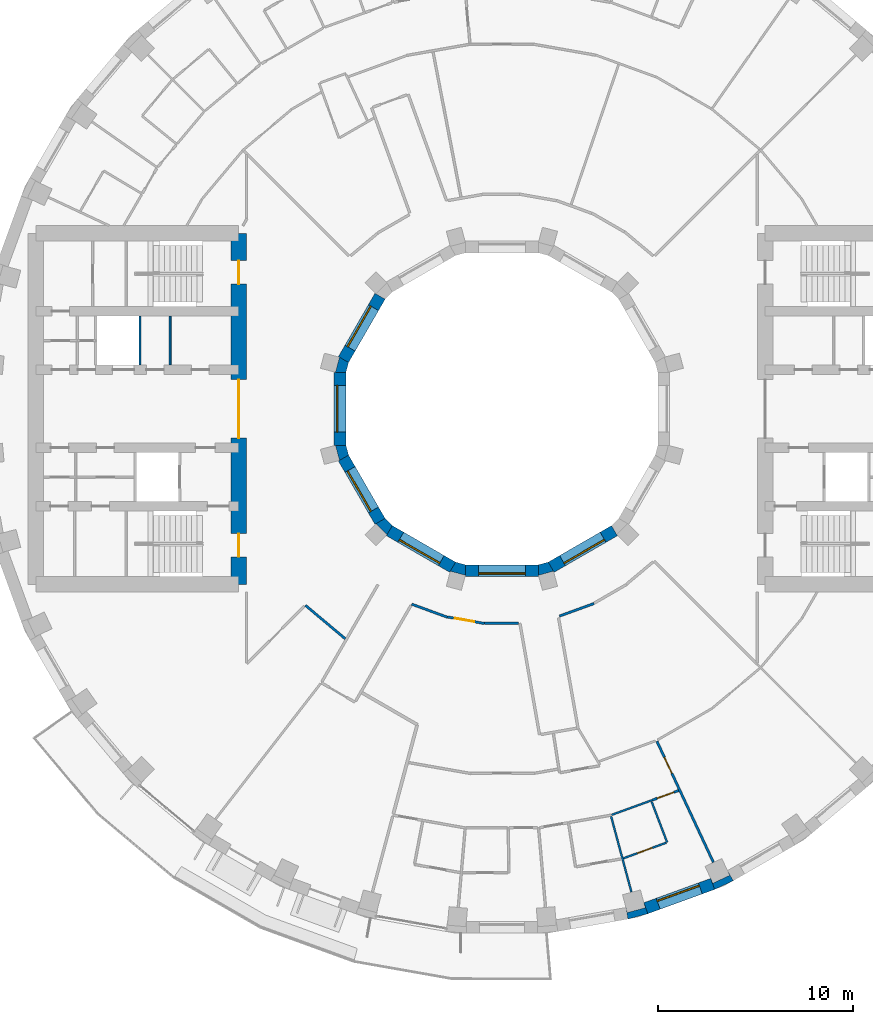
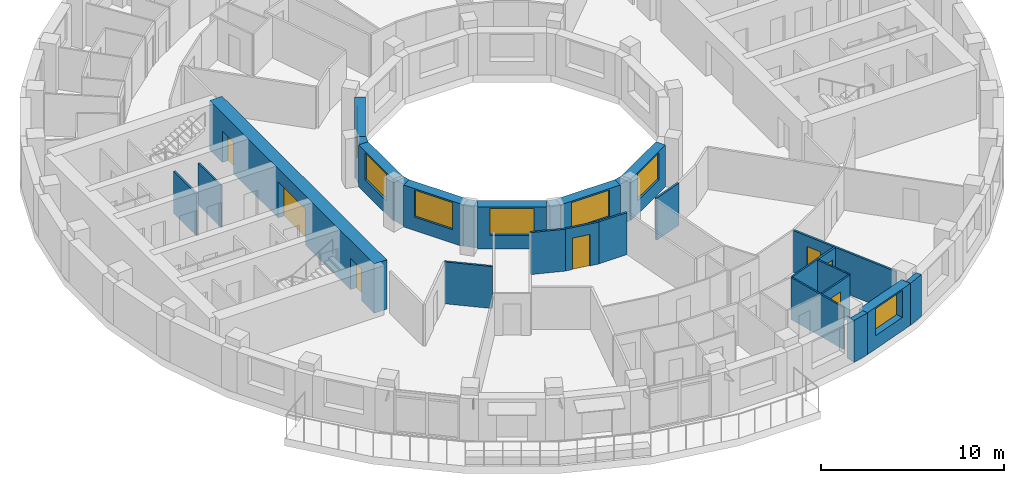
# One storey, part 6 of 14: 28 walls, 7 doors, 7 windows, 14 openings.
"""IFC4 building model written with IfcOpenShell, lengths in metres."""

from ifc_helpers import new_model, si_unit, direction, frame, frame_2d, origin, place, context, subcontext, project, spatial, polyline, rectangle, outline, extrude, material, layer, layer_set, type_object, element, fill, save


model = new_model("IFC4")

# Units and contexts
model_context = context("Model", 3, precision=1e-05, world=origin(), true_north=direction((0.0, 1.0)))
body_context = subcontext(model_context, "Body", "Model", "MODEL_VIEW")
ifc_project = project(units=[si_unit("LENGTHUNIT", "METRE"), si_unit("AREAUNIT", "SQUARE_METRE"), si_unit("VOLUMEUNIT", "CUBIC_METRE"), si_unit("PLANEANGLEUNIT", "RADIAN"), si_unit("MASSUNIT", "GRAM", prefix="KILO")], contexts=[model_context])

# Site, building, storey
site_placement = place(None, origin())
site = spatial("IfcSite", under=ifc_project, at=site_placement, CompositionType="ELEMENT")
building_placement = place(site_placement, origin())
building = spatial("IfcBuilding", under=site, at=building_placement, Name="Saqina Gate Tower", CompositionType="ELEMENT")
storey_placement = place(building_placement, frame((0.0, 0.0, 134.800048828125)))
storey = spatial("IfcBuildingStorey", under=building, at=storey_placement, Name="L38", CompositionType="ELEMENT", Elevation=134.800048828125)

# Walls
ifc_material_1 = material(Name="Brick masonry (buff)", Category="masonry")
wall_type_1 = type_object("IfcWallType", Name="BRICK PIER COPING BUFF", PredefinedType="SOLIDWALL", material=ifc_material_1)
wall_1_placement = place(storey_placement, origin())
element("IfcWall", 1, at=wall_1_placement, inside=storey, type_object=wall_type_1, Name="Pier cap L38 column 29", PredefinedType="SOLIDWALL", context=body_context, shape_type="SweptSolid", body=[
    extrude(outline(polyline([(6.466796875, -26.171875), (7.485595703125, -25.89892578125), (7.2802734375, -25.335205078125), (7.349853515625, -25.5947265625), (6.43212890625, -25.8408203125), (6.36279296875, -25.5810546875), (6.466796875, -26.171875)])), origin(), (0.0, 0.0, 1.0), 2.800048828125),
])
wall_2_placement = place(storey_placement, origin())
element("IfcWall", 2, at=wall_2_placement, inside=storey, type_object=wall_type_1, Name="Pier cap L38 column 30", PredefinedType="SOLIDWALL", context=body_context, shape_type="SweptSolid", body=[
    extrude(outline(polyline([(10.913330078125, -24.6513671875), (11.869140625, -24.205810546875), (11.569091796875, -23.68603515625), (11.6826171875, -23.9296875), (10.82177734375, -24.331298828125), (10.7080078125, -24.08740234375), (10.913330078125, -24.6513671875)])), origin(), (0.0, 0.0, 1.0), 2.800048828125),
])
ifc_material_2 = material(Name="Gypsum board on steel studs", Category="steel")
ifc_layer_1 = layer(ifc_material_2, 0.10009765625)
ifc_layer_set_1 = layer_set([ifc_layer_1], Name="CORE PARTITION")
wall_type_2 = type_object("IfcWallType", Name="CORE PARTITION", PredefinedType="PARTITIONING", material=ifc_layer_set_1)
wall_3_placement = place(storey_placement, frame((-17.022216796875, 2.25, 0.0), z_axis=(0.0, 0.0, 1.0), x_axis=(0.0, 1.0, 0.0)))
element("IfcWall", 3, at=wall_3_placement, inside=storey, type_object=wall_type_2, Name="L38-CP-W01", PredefinedType="PARTITIONING", context=body_context, shape_type="SweptSolid", body=[
    extrude(rectangle(XDim=2.5, YDim=0.10009765625, at=frame_2d((1.25, 0.0))), origin(), (0.0, 0.0, 1.0), 2.800048828125),
])

# Wall, opening, window
ifc_material_3 = material(Name="Brick masonry (buff)", Category="masonry")
ifc_layer_2 = layer(ifc_material_3, 0.60009765625)
ifc_layer_set_2 = layer_set([ifc_layer_2], Name="FW-BRICK-BUFF")
wall_type_3 = type_object("IfcWallType", Name="FW-BRICK-BUFF", PredefinedType="SOLIDWALL", material=ifc_layer_set_2)
wall_4_placement = place(storey_placement, frame((7.3828125, -25.616943359375, 0.0), z_axis=(0.0, 0.0, 1.0), x_axis=(0.939703505393, 0.341990236633, 0.0)))
wall_4 = element("IfcWall", 4, at=wall_4_placement, inside=storey, type_object=wall_type_3, Name="Facade wall L38 facet 29", PredefinedType="SOLIDWALL", context=body_context, shape_type="SweptSolid", body=[
    extrude(rectangle(XDim=3.64794921875, YDim=0.60009765625, at=frame_2d((1.823974609375, 0.0))), origin(), (0.0, 0.0, 1.0), 2.800048828125),
])
opening_1_placement = place(wall_4_placement, frame((0.673828125, 0.0, 0.89990234375)))
opening_1 = element("IfcOpeningElement", 5, at=opening_1_placement, cuts=wall_4, Name="Opening G11-W18", PredefinedType="OPENING", context=body_context, shape_type="SweptSolid", body=[
    extrude(rectangle(XDim=2.300048828125, YDim=1.800048828125, at=frame_2d((1.14990234375, 0.89990234375))), frame((0.0, 0.31201171875, 0.0), z_axis=(0.0, -1.0, 0.0), x_axis=(1.0, 0.0, 0.0)), (0.0, 0.0, 1.0), 0.6240234375),
])
ifc_material_4 = material(Name="Aluminium glazing", Category="aluminium")
window_type_1 = type_object("IfcWindowType", Name="WN-B", PartitioningType="SINGLE_PANEL", PredefinedType="WINDOW", material=ifc_material_4)
window_1_placement = place(opening_1_placement, origin())
window_1 = element("IfcWindow", 6, at=window_1_placement, inside=storey, type_object=window_type_1, Name="Window L38 facet 29", OverallHeight=1.800048828125, OverallWidth=2.300048828125, PartitioningType="SINGLE_PANEL", PredefinedType="WINDOW", context=body_context, shape_type="SweptSolid", body=[
    extrude(rectangle(XDim=2.300048828125, YDim=1.800048828125, at=frame_2d((1.14990234375, 0.89990234375))), frame((0.0, 0.179931640625, 0.0), z_axis=(0.0, -1.0, 0.0), x_axis=(1.0, 0.0, 0.0)), (0.0, 0.0, 1.0), 0.06005859375),
])
fill(opening_1, window_1)

ifc_material_5 = material(Name="Glazed ceramic tile", Category="ceramic")
ifc_layer_3 = layer(ifc_material_5, 0.60009765625)
ifc_layer_set_3 = layer_set([ifc_layer_3], Name="IW-TILE")
wall_type_4 = type_object("IfcWallType", Name="IW-TILE", PredefinedType="SOLIDWALL", material=ifc_layer_set_3)
wall_5_placement = place(storey_placement, frame((-6.251220703125, 5.772705078125, 0.0), z_axis=(0.0, 0.0, 1.0), x_axis=(-0.499964958637, -0.86604563398, 0.0)))
wall_5 = element("IfcWall", 7, at=wall_5_placement, inside=storey, type_object=wall_type_4, Name="Well wall L38 facet 5", PredefinedType="SOLIDWALL", context=body_context, shape_type="SweptSolid", body=[
    extrude(rectangle(XDim=3.747314453125, YDim=0.60009765625, at=frame_2d((1.87353515625, 0.0))), origin(), (0.0, 0.0, 1.0), 2.800048828125),
])
opening_2_placement = place(wall_5_placement, frame((0.673583984375, 0.0, 0.89990234375)))
opening_2 = element("IfcOpeningElement", 8, at=opening_2_placement, cuts=wall_5, Name="Opening G11-W27", PredefinedType="OPENING", context=body_context, shape_type="SweptSolid", body=[
    extrude(rectangle(XDim=2.39990234375, YDim=1.800048828125, at=frame_2d((1.199951171875, 0.89990234375))), frame((0.0, 0.31201171875, 0.0), z_axis=(0.0, -1.0, 0.0), x_axis=(1.0, 0.0, 0.0)), (0.0, 0.0, 1.0), 0.6240234375),
])
ifc_material_6 = material(Name="Aluminium glazing", Category="aluminium")
window_type_2 = type_object("IfcWindowType", Name="WN-W", PartitioningType="SINGLE_PANEL", PredefinedType="WINDOW", material=ifc_material_6)
window_2_placement = place(opening_2_placement, origin())
window_2 = element("IfcWindow", 9, at=window_2_placement, inside=storey, type_object=window_type_2, Name="Well window L38 facet 5", OverallHeight=1.800048828125, OverallWidth=2.39990234375, PartitioningType="SINGLE_PANEL", PredefinedType="WINDOW", context=body_context, shape_type="SweptSolid", body=[
    extrude(rectangle(XDim=2.39990234375, YDim=1.800048828125, at=frame_2d((1.199951171875, 0.89990234375))), frame((0.0, -0.119873046875, 0.0), z_axis=(0.0, -1.0, 0.0), x_axis=(1.0, 0.0, 0.0)), (0.0, 0.0, 1.0), 0.06005859375),
])
fill(opening_2, window_2)

wall_6_placement = place(storey_placement, frame((-8.300048828125, 1.873779296875, 0.0), z_axis=(0.0, 0.0, 1.0), x_axis=(0.0, -1.0, 0.0)))
wall_6 = element("IfcWall", 10, at=wall_6_placement, inside=storey, type_object=wall_type_4, Name="Well wall L38 facet 6", PredefinedType="SOLIDWALL", context=body_context, shape_type="SweptSolid", body=[
    extrude(rectangle(XDim=3.74755859375, YDim=0.60009765625, at=frame_2d((1.873779296875, 0.0))), origin(), (0.0, 0.0, 1.0), 2.800048828125),
])
opening_3_placement = place(wall_6_placement, frame((0.673583984375, 0.0, 0.89990234375)))
opening_3 = element("IfcOpeningElement", 11, at=opening_3_placement, cuts=wall_6, Name="Opening G11-W28", PredefinedType="OPENING", context=body_context, shape_type="SweptSolid", body=[
    extrude(rectangle(XDim=2.39990234375, YDim=1.800048828125, at=frame_2d((1.199951171875, 0.89990234375))), frame((0.0, 0.31201171875, 0.0), z_axis=(0.0, -1.0, 0.0), x_axis=(1.0, 0.0, 0.0)), (0.0, 0.0, 1.0), 0.6240234375),
])
window_3_placement = place(opening_3_placement, origin())
window_3 = element("IfcWindow", 12, at=window_3_placement, inside=storey, type_object=window_type_2, Name="Well window L38 facet 6", OverallHeight=1.800048828125, OverallWidth=2.39990234375, PartitioningType="SINGLE_PANEL", PredefinedType="WINDOW", context=body_context, shape_type="SweptSolid", body=[
    extrude(rectangle(XDim=2.39990234375, YDim=1.800048828125, at=frame_2d((1.199951171875, 0.89990234375))), frame((0.0, -0.119873046875, 0.0), z_axis=(0.0, -1.0, 0.0), x_axis=(1.0, 0.0, 0.0)), (0.0, 0.0, 1.0), 0.06005859375),
])
fill(opening_3, window_3)

wall_7_placement = place(storey_placement, frame((-8.124755859375, -2.52734375, 0.0), z_axis=(0.0, 0.0, 1.0), x_axis=(0.499964958637, -0.86604563398, 0.0)))
wall_7 = element("IfcWall", 13, at=wall_7_placement, inside=storey, type_object=wall_type_4, Name="Well wall L38 facet 7", PredefinedType="SOLIDWALL", context=body_context, shape_type="SweptSolid", body=[
    extrude(rectangle(XDim=3.747314453125, YDim=0.60009765625, at=frame_2d((1.87353515625, 0.0))), origin(), (0.0, 0.0, 1.0), 2.800048828125),
])
opening_4_placement = place(wall_7_placement, frame((0.673583984375, 0.0, 0.89990234375)))
opening_4 = element("IfcOpeningElement", 14, at=opening_4_placement, cuts=wall_7, Name="Opening G11-W29", PredefinedType="OPENING", context=body_context, shape_type="SweptSolid", body=[
    extrude(rectangle(XDim=2.39990234375, YDim=1.800048828125, at=frame_2d((1.199951171875, 0.89990234375))), frame((0.0, 0.31201171875, 0.0), z_axis=(0.0, -1.0, 0.0), x_axis=(1.0, 0.0, 0.0)), (0.0, 0.0, 1.0), 0.6240234375),
])
window_4_placement = place(opening_4_placement, origin())
window_4 = element("IfcWindow", 15, at=window_4_placement, inside=storey, type_object=window_type_2, Name="Well window L38 facet 7", OverallHeight=1.800048828125, OverallWidth=2.39990234375, PartitioningType="SINGLE_PANEL", PredefinedType="WINDOW", context=body_context, shape_type="SweptSolid", body=[
    extrude(rectangle(XDim=2.39990234375, YDim=1.800048828125, at=frame_2d((1.199951171875, 0.89990234375))), frame((0.0, -0.119873046875, 0.0), z_axis=(0.0, -1.0, 0.0), x_axis=(1.0, 0.0, 0.0)), (0.0, 0.0, 1.0), 0.06005859375),
])
fill(opening_4, window_4)

wall_8_placement = place(storey_placement, frame((-5.772705078125, -6.251220703125, 0.0), z_axis=(0.0, 0.0, 1.0), x_axis=(0.86604563398, -0.499964958637, 0.0)))
wall_8 = element("IfcWall", 16, at=wall_8_placement, inside=storey, type_object=wall_type_4, Name="Well wall L38 facet 8", PredefinedType="SOLIDWALL", context=body_context, shape_type="SweptSolid", body=[
    extrude(rectangle(XDim=3.747314453125, YDim=0.60009765625, at=frame_2d((1.87353515625, 0.0))), origin(), (0.0, 0.0, 1.0), 2.800048828125),
])
opening_5_placement = place(wall_8_placement, frame((0.673583984375, 0.0, 0.89990234375)))
opening_5 = element("IfcOpeningElement", 17, at=opening_5_placement, cuts=wall_8, Name="Opening G11-W30", PredefinedType="OPENING", context=body_context, shape_type="SweptSolid", body=[
    extrude(rectangle(XDim=2.39990234375, YDim=1.800048828125, at=frame_2d((1.199951171875, 0.89990234375))), frame((0.0, 0.31201171875, 0.0), z_axis=(0.0, -1.0, 0.0), x_axis=(1.0, 0.0, 0.0)), (0.0, 0.0, 1.0), 0.6240234375),
])
window_5_placement = place(opening_5_placement, origin())
window_5 = element("IfcWindow", 18, at=window_5_placement, inside=storey, type_object=window_type_2, Name="Well window L38 facet 8", OverallHeight=1.800048828125, OverallWidth=2.39990234375, PartitioningType="SINGLE_PANEL", PredefinedType="WINDOW", context=body_context, shape_type="SweptSolid", body=[
    extrude(rectangle(XDim=2.39990234375, YDim=1.800048828125, at=frame_2d((1.199951171875, 0.89990234375))), frame((0.0, -0.119873046875, 0.0), z_axis=(0.0, -1.0, 0.0), x_axis=(1.0, 0.0, 0.0)), (0.0, 0.0, 1.0), 0.06005859375),
])
fill(opening_5, window_5)

wall_9_placement = place(storey_placement, frame((-1.873779296875, -8.300048828125, 0.0), z_axis=(0.0, 0.0, 1.0), x_axis=(1.0, 0.0, 0.0)))
wall_9 = element("IfcWall", 19, at=wall_9_placement, inside=storey, type_object=wall_type_4, Name="Well wall L38 facet 9", PredefinedType="SOLIDWALL", context=body_context, shape_type="SweptSolid", body=[
    extrude(rectangle(XDim=3.74755859375, YDim=0.60009765625, at=frame_2d((1.873779296875, 0.0))), origin(), (0.0, 0.0, 1.0), 2.800048828125),
])
opening_6_placement = place(wall_9_placement, frame((0.673583984375, 0.0, 0.89990234375)))
opening_6 = element("IfcOpeningElement", 20, at=opening_6_placement, cuts=wall_9, Name="Opening G11-W31", PredefinedType="OPENING", context=body_context, shape_type="SweptSolid", body=[
    extrude(rectangle(XDim=2.39990234375, YDim=1.800048828125, at=frame_2d((1.199951171875, 0.89990234375))), frame((0.0, 0.31201171875, 0.0), z_axis=(0.0, -1.0, 0.0), x_axis=(1.0, 0.0, 0.0)), (0.0, 0.0, 1.0), 0.6240234375),
])
window_6_placement = place(opening_6_placement, origin())
window_6 = element("IfcWindow", 21, at=window_6_placement, inside=storey, type_object=window_type_2, Name="Well window L38 facet 9", OverallHeight=1.800048828125, OverallWidth=2.39990234375, PartitioningType="SINGLE_PANEL", PredefinedType="WINDOW", context=body_context, shape_type="SweptSolid", body=[
    extrude(rectangle(XDim=2.39990234375, YDim=1.800048828125, at=frame_2d((1.199951171875, 0.89990234375))), frame((0.0, -0.119873046875, 0.0), z_axis=(0.0, -1.0, 0.0), x_axis=(1.0, 0.0, 0.0)), (0.0, 0.0, 1.0), 0.06005859375),
])
fill(opening_6, window_6)

wall_10_placement = place(storey_placement, frame((2.52734375, -8.124755859375, 0.0), z_axis=(0.0, 0.0, 1.0), x_axis=(0.86604563398, 0.499964958637, 0.0)))
wall_10 = element("IfcWall", 22, at=wall_10_placement, inside=storey, type_object=wall_type_4, Name="Well wall L38 facet 10", PredefinedType="SOLIDWALL", context=body_context, shape_type="SweptSolid", body=[
    extrude(rectangle(XDim=3.747314453125, YDim=0.60009765625, at=frame_2d((1.87353515625, 0.0))), origin(), (0.0, 0.0, 1.0), 2.800048828125),
])
opening_7_placement = place(wall_10_placement, frame((0.673583984375, 0.0, 0.89990234375)))
opening_7 = element("IfcOpeningElement", 23, at=opening_7_placement, cuts=wall_10, Name="Opening G11-W32", PredefinedType="OPENING", context=body_context, shape_type="SweptSolid", body=[
    extrude(rectangle(XDim=2.39990234375, YDim=1.800048828125, at=frame_2d((1.199951171875, 0.89990234375))), frame((0.0, 0.31201171875, 0.0), z_axis=(0.0, -1.0, 0.0), x_axis=(1.0, 0.0, 0.0)), (0.0, 0.0, 1.0), 0.6240234375),
])
window_7_placement = place(opening_7_placement, origin())
window_7 = element("IfcWindow", 24, at=window_7_placement, inside=storey, type_object=window_type_2, Name="Well window L38 facet 10", OverallHeight=1.800048828125, OverallWidth=2.39990234375, PartitioningType="SINGLE_PANEL", PredefinedType="WINDOW", context=body_context, shape_type="SweptSolid", body=[
    extrude(rectangle(XDim=2.39990234375, YDim=1.800048828125, at=frame_2d((1.199951171875, 0.89990234375))), frame((0.0, -0.119873046875, 0.0), z_axis=(0.0, -1.0, 0.0), x_axis=(1.0, 0.0, 0.0)), (0.0, 0.0, 1.0), 0.06005859375),
])
fill(opening_7, window_7)

# Walls
ifc_material_7 = material(Name="Gypsum board on steel studs, 100 mm", Category="steel")
ifc_layer_4 = layer(ifc_material_7, 0.10009765625)
ifc_layer_set_4 = layer_set([ifc_layer_4], Name="PARTITION 100")
wall_type_5 = type_object("IfcWallType", Name="PARTITION 100", PredefinedType="PARTITIONING", material=ifc_layer_set_4)
wall_11_placement = place(storey_placement, frame((5.597900390625, -20.892333984375, 0.0), z_axis=(0.0, 0.0, 1.0), x_axis=(0.259224915088, -0.965816982351, 0.0)))
element("IfcWall", 25, at=wall_11_placement, inside=storey, type_object=wall_type_5, Name="PARTITION PW3-08", PredefinedType="PARTITIONING", context=body_context, shape_type="SweptSolid", body=[
    extrude(rectangle(XDim=4.03564453125, YDim=0.10009765625, at=frame_2d((2.017822265625, 0.0))), origin(), (0.0, 0.0, 1.0), 2.800048828125),
])
wall_12_placement = place(storey_placement, frame((7.679443359375, -20.14892578125, 0.0), z_axis=(0.0, 0.0, 1.0), x_axis=(0.356154183318, -0.934427202999, 0.0)))
element("IfcWall", 26, at=wall_12_placement, inside=storey, type_object=wall_type_5, Name="PARTITION PW3-12", PredefinedType="PARTITIONING", context=body_context, shape_type="SweptSolid", body=[
    extrude(rectangle(XDim=2.23681640625, YDim=0.10009765625, at=frame_2d((1.118408203125, 0.0))), origin(), (0.0, 0.0, 1.0), 2.800048828125),
])

# Wall, opening, door
wall_13_placement = place(storey_placement, frame((6.22998046875, -23.056884765625, 0.0), z_axis=(0.0, 0.0, 1.0), x_axis=(0.93963493474, 0.342178592866, 0.0)))
wall_13 = element("IfcWall", 27, at=wall_13_placement, inside=storey, type_object=wall_type_5, Name="PARTITION PW3-51", PredefinedType="PARTITIONING", context=body_context, shape_type="SweptSolid", body=[
    extrude(rectangle(XDim=2.34033203125, YDim=0.10009765625, at=frame_2d((1.170166015625, 0.0))), origin(), (0.0, 0.0, 1.0), 2.800048828125),
])
opening_8_placement = place(wall_13_placement, frame((0.770263671875, 0.0, 0.0)))
opening_8 = element("IfcOpeningElement", 28, at=opening_8_placement, cuts=wall_13, Name="Opening G11-D38", PredefinedType="OPENING", context=body_context, shape_type="SweptSolid", body=[
    extrude(rectangle(XDim=0.800048828125, YDim=2.10009765625, at=frame_2d((0.39990234375, 1.050048828125))), frame((0.0, 0.06201171875, 0.0), z_axis=(0.0, -1.0, 0.0), x_axis=(1.0, 0.0, 0.0)), (0.0, 0.0, 1.0), 0.1240234375),
])
ifc_material_8 = material(Name="Timber door leaf, 800 mm", Category="wood")
door_type_1 = type_object("IfcDoorType", Name="DOOR 800 TIMBER", OperationType="SINGLE_SWING_LEFT", PredefinedType="DOOR", material=ifc_material_8)
door_1_placement = place(opening_8_placement, frame((0.800048828125, 0.0, 0.0), z_axis=(0.0, 0.0, 1.0), x_axis=(-1.0, 0.0, 0.0)))
door_1 = element("IfcDoor", 29, at=door_1_placement, inside=storey, type_object=door_type_1, Name="DOOR G11-D38", OperationType="SINGLE_SWING_LEFT", OverallHeight=2.10009765625, OverallWidth=0.800048828125, PredefinedType="DOOR", context=body_context, shape_type="SweptSolid", body=[
    extrude(rectangle(XDim=0.800048828125, YDim=2.10009765625, at=frame_2d((0.39990234375, 1.050048828125))), frame((0.0, 0.02490234375, 0.0), z_axis=(0.0, -1.0, 0.0), x_axis=(1.0, 0.0, 0.0)), (0.0, 0.0, 1.0), 0.050048828125),
])
fill(opening_8, door_1)

# Wall
wall_14_placement = place(storey_placement, frame((5.633544921875, -20.826416015625, 0.0), z_axis=(0.0, 0.0, 1.0), x_axis=(0.939722230227, 0.341938781097, 0.0)))
element("IfcWall", 30, at=wall_14_placement, inside=storey, type_object=wall_type_5, Name="PARTITION PW3-52", PredefinedType="PARTITIONING", context=body_context, shape_type="SweptSolid", body=[
    extrude(rectangle(XDim=2.203369140625, YDim=0.10009765625, at=frame_2d((1.1015625, 0.0))), origin(), (0.0, 0.0, 1.0), 2.800048828125),
])

# Wall, opening, door
ifc_material_9 = material(Name="Gypsum board on steel studs, 125 mm, fire rated", Category="steel")
ifc_layer_5 = layer(ifc_material_9, 0.125)
ifc_layer_set_5 = layer_set([ifc_layer_5], Name="PARTITION EI 30 125")
wall_type_6 = type_object("IfcWallType", Name="PARTITION EI 30 125", PredefinedType="PARTITIONING", material=ifc_layer_set_5)
wall_15_placement = place(storey_placement, frame((7.953857421875, -17.057373046875, 0.0), z_axis=(0.0, 0.0, 1.0), x_axis=(0.422662835783, -0.906287000485, 0.0)))
wall_15 = element("IfcWall", 31, at=wall_15_placement, inside=storey, type_object=wall_type_6, Name="PARTITION PW1-05", PredefinedType="PARTITIONING", context=body_context, shape_type="SweptSolid", body=[
    extrude(rectangle(XDim=6.84423828125, YDim=0.125, at=frame_2d((3.422119140625, 0.0))), origin(), (0.0, 0.0, 1.0), 2.800048828125),
])
opening_9_placement = place(wall_15_placement, frame((0.905029296875, 0.0, 0.0)))
opening_9 = element("IfcOpeningElement", 32, at=opening_9_placement, cuts=wall_15, Name="Opening G11-D40", PredefinedType="OPENING", context=body_context, shape_type="SweptSolid", body=[
    extrude(rectangle(XDim=0.89990234375, YDim=2.10009765625, at=frame_2d((0.449951171875, 1.050048828125))), frame((0.0, 0.074462890625, 0.0), z_axis=(0.0, -1.0, 0.0), x_axis=(1.0, 0.0, 0.0)), (0.0, 0.0, 1.0), 0.14892578125),
])
ifc_material_10 = material(Name="Fire door leaf EI 30, 900 mm")
door_type_2 = type_object("IfcDoorType", Name="DOOR 900 EI 30", OperationType="SINGLE_SWING_LEFT", PredefinedType="DOOR", material=ifc_material_10)
door_2_placement = place(opening_9_placement, origin())
door_2 = element("IfcDoor", 33, at=door_2_placement, inside=storey, type_object=door_type_2, Name="DOOR G11-D40", OperationType="SINGLE_SWING_LEFT", OverallHeight=2.10009765625, OverallWidth=0.89990234375, PredefinedType="DOOR", context=body_context, shape_type="SweptSolid", body=[
    extrude(rectangle(XDim=0.89990234375, YDim=2.10009765625, at=frame_2d((0.449951171875, 1.050048828125))), frame((0.0, 0.02490234375, 0.0), z_axis=(0.0, -1.0, 0.0), x_axis=(1.0, 0.0, 0.0)), (0.0, 0.0, 1.0), 0.050048828125),
])
fill(opening_9, door_2)

# Walls
wall_16_placement = place(storey_placement, frame((-10.0791015625, -10.0791015625, 0.0), z_axis=(0.0, 0.0, 1.0), x_axis=(0.766028909875, -0.642806121031, 0.0)))
element("IfcWall", 34, at=wall_16_placement, inside=storey, type_object=wall_type_6, Name="PARTITION PW1-08", PredefinedType="PARTITIONING", context=body_context, shape_type="SweptSolid", body=[
    extrude(rectangle(XDim=2.6708984375, YDim=0.125, at=frame_2d((1.33544921875, 0.0))), origin(), (0.0, 0.0, 1.0), 2.800048828125),
])
wall_17_placement = place(storey_placement, frame((-4.631103515625, -10.02001953125, 0.0), z_axis=(0.0, 0.0, 1.0), x_axis=(0.939584951486, -0.342315817545, 0.0)))
element("IfcWall", 35, at=wall_17_placement, inside=storey, type_object=wall_type_6, Name="PARTITION PW1-13", PredefinedType="PARTITIONING", context=body_context, shape_type="SweptSolid", body=[
    extrude(rectangle(XDim=1.95068359375, YDim=0.125, at=frame_2d((0.975341796875, 0.0))), origin(), (0.0, 0.0, 1.0), 2.800048828125),
])

# Wall, opening, door
wall_18_placement = place(storey_placement, frame((-2.79638671875, -10.6767578125, 0.0), z_axis=(0.0, 0.0, 1.0), x_axis=(0.984830733923, -0.173517795977, 0.0)))
wall_18 = element("IfcWall", 36, at=wall_18_placement, inside=storey, type_object=wall_type_6, Name="PARTITION PW1-16", PredefinedType="PARTITIONING", context=body_context, shape_type="SweptSolid", body=[
    extrude(rectangle(XDim=1.92626953125, YDim=0.125, at=frame_2d((0.963134765625, 0.0))), origin(), (0.0, 0.0, 1.0), 2.800048828125),
])
opening_10_placement = place(wall_18_placement, frame((0.400146484375, 0.0, 0.0)))
opening_10 = element("IfcOpeningElement", 37, at=opening_10_placement, cuts=wall_18, Name="Opening G11-D30", PredefinedType="OPENING", context=body_context, shape_type="SweptSolid", body=[
    extrude(rectangle(XDim=1.0, YDim=2.10009765625, at=frame_2d((0.5, 1.050048828125))), frame((0.0, 0.074462890625, 0.0), z_axis=(0.0, -1.0, 0.0), x_axis=(1.0, 0.0, 0.0)), (0.0, 0.0, 1.0), 0.14892578125),
])
ifc_material_11 = material(Name="Fire door leaf EI 30, 1000 mm")
door_type_3 = type_object("IfcDoorType", Name="DOOR 1000 EI 30", OperationType="SINGLE_SWING_LEFT", PredefinedType="DOOR", material=ifc_material_11)
door_3_placement = place(opening_10_placement, frame((1.0, 0.0, 0.0), z_axis=(0.0, 0.0, 1.0), x_axis=(-1.0, 0.0, 0.0)))
door_3 = element("IfcDoor", 38, at=door_3_placement, inside=storey, type_object=door_type_3, Name="DOOR G11-D30", OperationType="SINGLE_SWING_RIGHT", OverallHeight=2.10009765625, OverallWidth=1.0, PredefinedType="DOOR", context=body_context, shape_type="SweptSolid", body=[
    extrude(rectangle(XDim=1.0, YDim=2.10009765625, at=frame_2d((0.5, 1.050048828125))), frame((0.0, 0.02490234375, 0.0), z_axis=(0.0, -1.0, 0.0), x_axis=(1.0, 0.0, 0.0)), (0.0, 0.0, 1.0), 0.050048828125),
])
fill(opening_10, door_3)

# Wall
wall_19_placement = place(storey_placement, frame((-0.8994140625, -11.0, 0.0), z_axis=(0.0, 0.0, 1.0), x_axis=(1.0, 0.0, 0.0)))
element("IfcWall", 39, at=wall_19_placement, inside=storey, type_object=wall_type_6, Name="PARTITION PW1-20", PredefinedType="PARTITIONING", context=body_context, shape_type="SweptSolid", body=[
    extrude(rectangle(XDim=1.760986328125, YDim=0.125, at=frame_2d((0.88037109375, 0.0))), origin(), (0.0, 0.0, 1.0), 2.800048828125),
])

# Wall, opening, door
wall_20_placement = place(storey_placement, frame((7.7041015625, -20.072998046875, 0.0), z_axis=(0.0, 0.0, 1.0), x_axis=(0.939798360304, 0.341729486537, 0.0)))
wall_20 = element("IfcWall", 40, at=wall_20_placement, inside=storey, type_object=wall_type_6, Name="PARTITION PW1-27", PredefinedType="PARTITIONING", context=body_context, shape_type="SweptSolid", body=[
    extrude(rectangle(XDim=1.44384765625, YDim=0.125, at=frame_2d((0.721923828125, 0.0))), origin(), (0.0, 0.0, 1.0), 2.800048828125),
])
opening_11_placement = place(wall_20_placement, frame((0.2783203125, 0.0, 0.0)))
opening_11 = element("IfcOpeningElement", 41, at=opening_11_placement, cuts=wall_20, Name="Opening G11-D39", PredefinedType="OPENING", context=body_context, shape_type="SweptSolid", body=[
    extrude(rectangle(XDim=0.89990234375, YDim=2.10009765625, at=frame_2d((0.449951171875, 1.050048828125))), frame((0.0, 0.074462890625, 0.0), z_axis=(0.0, -1.0, 0.0), x_axis=(1.0, 0.0, 0.0)), (0.0, 0.0, 1.0), 0.14892578125),
])
door_4_placement = place(opening_11_placement, origin())
door_4 = element("IfcDoor", 42, at=door_4_placement, inside=storey, type_object=door_type_2, Name="DOOR G11-D39", OperationType="SINGLE_SWING_RIGHT", OverallHeight=2.10009765625, OverallWidth=0.89990234375, PredefinedType="DOOR", context=body_context, shape_type="SweptSolid", body=[
    extrude(rectangle(XDim=0.89990234375, YDim=2.10009765625, at=frame_2d((0.449951171875, 1.050048828125))), frame((0.0, 0.02490234375, 0.0), z_axis=(0.0, -1.0, 0.0), x_axis=(1.0, 0.0, 0.0)), (0.0, 0.0, 1.0), 0.050048828125),
])
fill(opening_11, door_4)

# Walls
wall_21_placement = place(storey_placement, frame((2.950927734375, -10.632080078125, 0.0), z_axis=(0.0, 0.0, 1.0), x_axis=(0.939616011167, 0.342230553222, 0.0)))
element("IfcWall", 43, at=wall_21_placement, inside=storey, type_object=wall_type_6, Name="PARTITION PW1-28", PredefinedType="PARTITIONING", context=body_context, shape_type="SweptSolid", body=[
    extrude(rectangle(XDim=1.8896484375, YDim=0.125, at=frame_2d((0.94482421875, 0.0))), origin(), (0.0, 0.0, 1.0), 2.800048828125),
])
ifc_material_12 = material(Name="Autoclaved aerated concrete block", Category="concrete")
ifc_layer_6 = layer(ifc_material_12, 0.1201171875)
ifc_layer_set_6 = layer_set([ifc_layer_6], Name="SHAFT PARTITION")
wall_type_7 = type_object("IfcWallType", Name="SHAFT PARTITION", PredefinedType="PARTITIONING", material=ifc_layer_set_6)
wall_22_placement = place(storey_placement, frame((-18.56005859375, 2.25, 0.0), z_axis=(0.0, 0.0, 1.0), x_axis=(0.0, 1.0, 0.0)))
element("IfcWall", 44, at=wall_22_placement, inside=storey, type_object=wall_type_7, Name="L38-CP-W02", PredefinedType="PARTITIONING", context=body_context, shape_type="SweptSolid", body=[
    extrude(rectangle(XDim=2.5, YDim=0.1201171875, at=frame_2d((1.25, 0.0))), origin(), (0.0, 0.0, 1.0), 2.800048828125),
])

# Wall, openings, doors
ifc_material_13 = material(Name="Concrete C70/85", Category="concrete")
ifc_layer_7 = layer(ifc_material_13, 0.800048828125)
ifc_layer_set_7 = layer_set([ifc_layer_7], Name="Concrete C70/85")
wall_type_8 = type_object("IfcWallType", Name="STR-CORE WALL-B-O", PredefinedType="SHEAR", material=ifc_layer_set_7)
wall_23_placement = place(storey_placement, frame((-13.5, -9.0, 0.0), z_axis=(0.0, 0.0, 1.0), x_axis=(0.0, 1.0, 0.0)))
wall_23 = element("IfcWall", 45, at=wall_23_placement, inside=storey, type_object=wall_type_8, Name="CORE WALL L38 W-W1", PredefinedType="SHEAR", context=body_context, shape_type="SweptSolid", body=[
    extrude(rectangle(XDim=18.0, YDim=0.800048828125, at=frame_2d((9.0, 0.0))), origin(), (0.0, 0.0, 1.0), 3.300048828125),
])
opening_12_placement = place(wall_23_placement, frame((15.39990234375, 0.0, 0.0)))
opening_12 = element("IfcOpeningElement", 46, at=opening_12_placement, cuts=wall_23, Name="Opening G11-D125", PredefinedType="OPENING", context=body_context, shape_type="SweptSolid", body=[
    extrude(rectangle(XDim=1.199951171875, YDim=2.10009765625, at=frame_2d((0.60009765625, 1.050048828125))), frame((0.0, 0.412109375, 0.0), z_axis=(0.0, -1.0, 0.0), x_axis=(1.0, 0.0, 0.0)), (0.0, 0.0, 1.0), 0.823974609375),
])
opening_13_placement = place(wall_23_placement, frame((1.39990234375, 0.0, 0.0)))
opening_13 = element("IfcOpeningElement", 47, at=opening_13_placement, cuts=wall_23, Name="Opening G11-D126", PredefinedType="OPENING", context=body_context, shape_type="SweptSolid", body=[
    extrude(rectangle(XDim=1.199951171875, YDim=2.10009765625, at=frame_2d((0.60009765625, 1.050048828125))), frame((0.0, 0.412109375, 0.0), z_axis=(0.0, -1.0, 0.0), x_axis=(1.0, 0.0, 0.0)), (0.0, 0.0, 1.0), 0.823974609375),
])
opening_14_placement = place(wall_23_placement, frame((7.5, 0.0, 0.0)))
opening_14 = element("IfcOpeningElement", 48, at=opening_14_placement, cuts=wall_23, Name="Opening G11-D127", PredefinedType="OPENING", context=body_context, shape_type="SweptSolid", body=[
    extrude(rectangle(XDim=3.0, YDim=2.39990234375, at=frame_2d((1.5, 1.199951171875))), frame((0.0, 0.412109375, 0.0), z_axis=(0.0, -1.0, 0.0), x_axis=(1.0, 0.0, 0.0)), (0.0, 0.0, 1.0), 0.823974609375),
])
ifc_material_14 = material(Name="Steel", Category="steel")
door_type_4 = type_object("IfcDoorType", Name="FIRE DOOR EI 60", OperationType="SINGLE_SWING_LEFT", PredefinedType="DOOR", material=ifc_material_14)
door_5_placement = place(opening_12_placement, origin())
door_5 = element("IfcDoor", 49, at=door_5_placement, inside=storey, type_object=door_type_4, Name="L38-CD-W36", OperationType="SINGLE_SWING_RIGHT", OverallHeight=2.10009765625, OverallWidth=1.199951171875, PredefinedType="DOOR", context=body_context, shape_type="SweptSolid", body=[
    extrude(rectangle(XDim=1.199951171875, YDim=2.10009765625, at=frame_2d((0.60009765625, 1.050048828125))), frame((0.0, 0.02490234375, 0.0), z_axis=(0.0, -1.0, 0.0), x_axis=(1.0, 0.0, 0.0)), (0.0, 0.0, 1.0), 0.050048828125),
])
fill(opening_12, door_5)
door_6_placement = place(opening_13_placement, origin())
door_6 = element("IfcDoor", 50, at=door_6_placement, inside=storey, type_object=door_type_4, Name="L38-CD-W37", OperationType="SINGLE_SWING_LEFT", OverallHeight=2.10009765625, OverallWidth=1.199951171875, PredefinedType="DOOR", context=body_context, shape_type="SweptSolid", body=[
    extrude(rectangle(XDim=1.199951171875, YDim=2.10009765625, at=frame_2d((0.60009765625, 1.050048828125))), frame((0.0, 0.02490234375, 0.0), z_axis=(0.0, -1.0, 0.0), x_axis=(1.0, 0.0, 0.0)), (0.0, 0.0, 1.0), 0.050048828125),
])
fill(opening_13, door_6)
ifc_material_15 = material(Name="Steel and fire-resisting glass", Category="steel")
door_type_5 = type_object("IfcDoorType", Name="LOBBY SCREEN DOOR", OperationType="DOUBLE_DOOR_SLIDING", PredefinedType="DOOR", material=ifc_material_15)
door_7_placement = place(opening_14_placement, origin())
door_7 = element("IfcDoor", 51, at=door_7_placement, inside=storey, type_object=door_type_5, Name="L38-CD-W38", OperationType="DOUBLE_DOOR_SLIDING", OverallHeight=2.39990234375, OverallWidth=3.0, PredefinedType="DOOR", context=body_context, shape_type="SweptSolid", body=[
    extrude(rectangle(XDim=3.0, YDim=2.39990234375, at=frame_2d((1.5, 1.199951171875))), frame((0.0, 0.02490234375, 0.0), z_axis=(0.0, -1.0, 0.0), x_axis=(1.0, 0.0, 0.0)), (0.0, 0.0, 1.0), 0.050048828125),
])
fill(opening_14, door_7)

# Walls
ifc_material_16 = material(Name="Glazed ceramic tile", Category="ceramic")
wall_type_9 = type_object("IfcWallType", Name="TILE PIER COPING", PredefinedType="SOLIDWALL", material=ifc_material_16)
wall_24_placement = place(storey_placement, origin())
element("IfcWall", 52, at=wall_24_placement, inside=storey, type_object=wall_type_9, Name="Well pier cap L38 column 6", PredefinedType="SOLIDWALL", context=body_context, shape_type="SweptSolid", body=[
    extrude(outline(polyline([(-8.5380859375, 1.873779296875), (-8.0, 1.873779296875), (-7.864990234375, 2.377197265625), (-8.3310546875, 2.646484375), (-8.5380859375, 1.873779296875)])), origin(), (0.0, 0.0, 1.0), 2.800048828125),
])
wall_25_placement = place(storey_placement, origin())
element("IfcWall", 53, at=wall_25_placement, inside=storey, type_object=wall_type_9, Name="Well pier cap L38 column 7", PredefinedType="SOLIDWALL", context=body_context, shape_type="SweptSolid", body=[
    extrude(outline(polyline([(-8.3310546875, -2.646484375), (-7.864990234375, -2.377197265625), (-8.0, -1.873779296875), (-8.5380859375, -1.873779296875), (-8.3310546875, -2.646484375)])), origin(), (0.0, 0.0, 1.0), 2.800048828125),
])
wall_26_placement = place(storey_placement, origin())
element("IfcWall", 54, at=wall_26_placement, inside=storey, type_object=wall_type_9, Name="Well pier cap L38 column 8", PredefinedType="SOLIDWALL", context=body_context, shape_type="SweptSolid", body=[
    extrude(outline(polyline([(-6.45751953125, -5.891845703125), (-5.891845703125, -6.45751953125), (-5.622802734375, -5.991455078125), (-5.991455078125, -5.622802734375), (-6.45751953125, -5.891845703125)])), origin(), (0.0, 0.0, 1.0), 2.800048828125),
])
wall_27_placement = place(storey_placement, origin())
element("IfcWall", 55, at=wall_27_placement, inside=storey, type_object=wall_type_9, Name="Well pier cap L38 column 9", PredefinedType="SOLIDWALL", context=body_context, shape_type="SweptSolid", body=[
    extrude(outline(polyline([(-1.873779296875, -8.5380859375), (-1.873779296875, -8.0), (-2.377197265625, -7.864990234375), (-2.646484375, -8.3310546875), (-1.873779296875, -8.5380859375)])), origin(), (0.0, 0.0, 1.0), 2.800048828125),
])
wall_28_placement = place(storey_placement, origin())
element("IfcWall", 56, at=wall_28_placement, inside=storey, type_object=wall_type_9, Name="Well pier cap L38 column 10", PredefinedType="SOLIDWALL", context=body_context, shape_type="SweptSolid", body=[
    extrude(outline(polyline([(2.646484375, -8.3310546875), (2.377197265625, -7.864990234375), (1.873779296875, -8.0), (1.873779296875, -8.5380859375), (2.646484375, -8.3310546875)])), origin(), (0.0, 0.0, 1.0), 2.800048828125),
])

save(model, "model.ifc")
